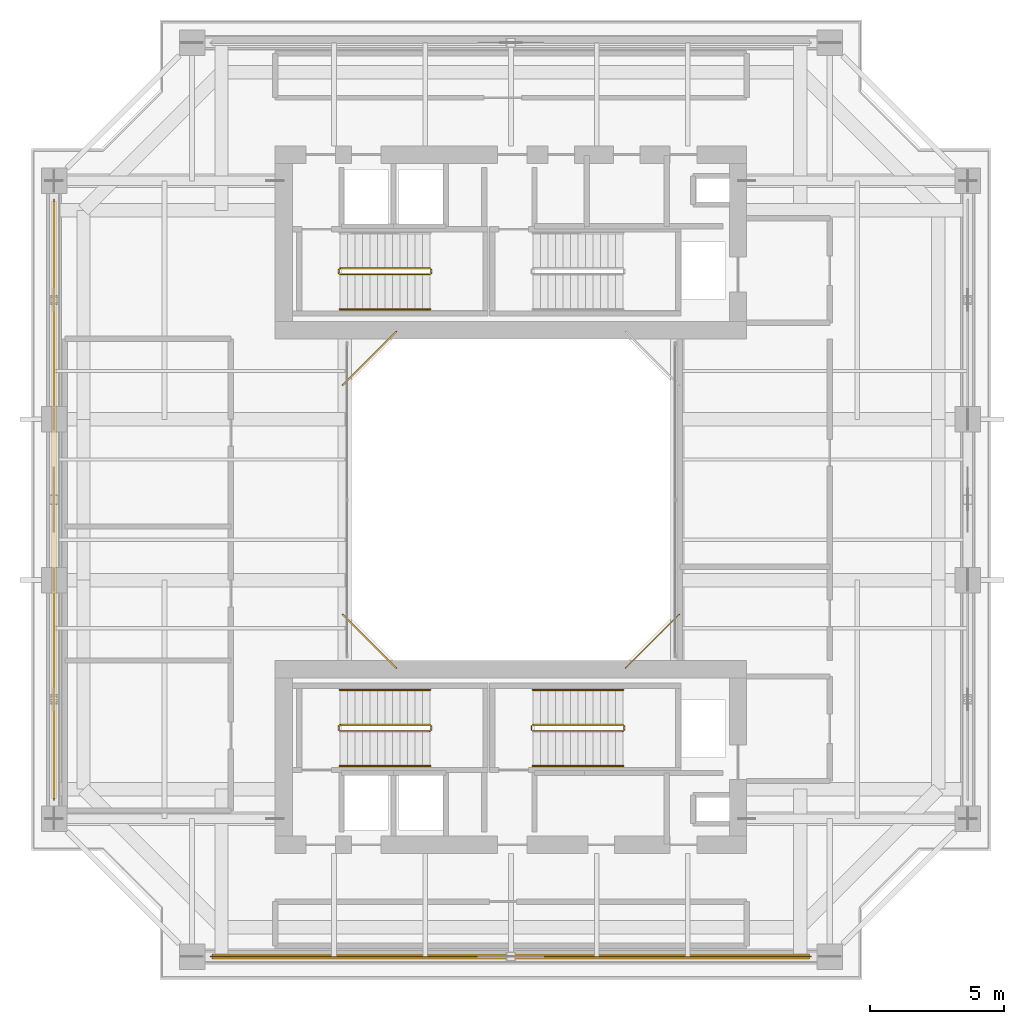
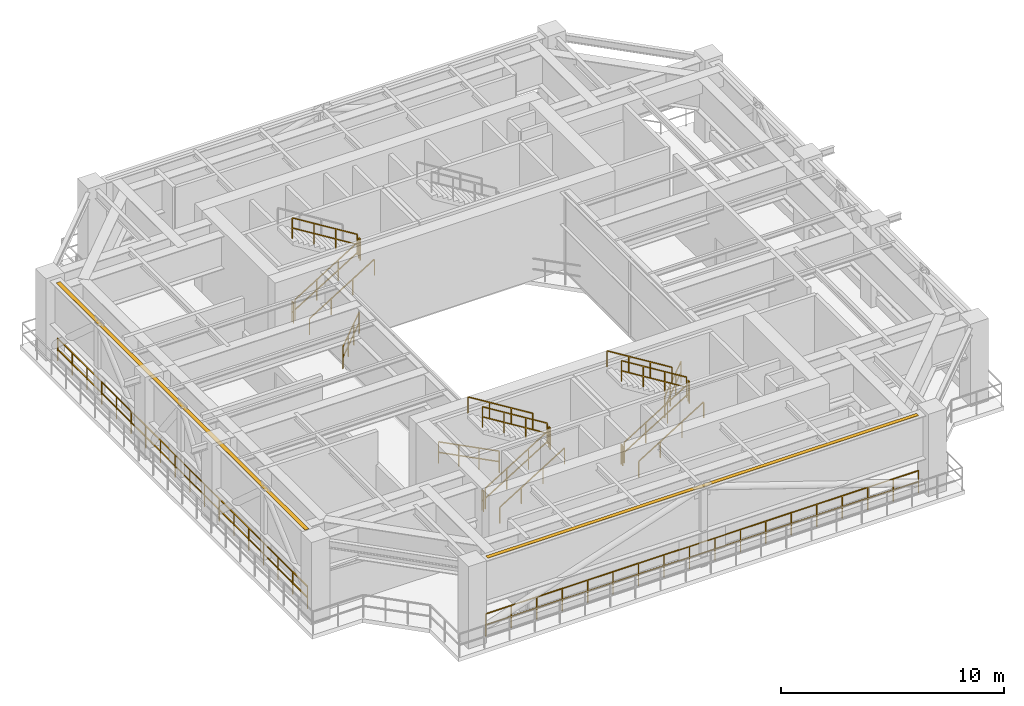
# One storey, part 9 of 11: 22 railings, 2 shading devices.
"""IFC4 building model written with IfcOpenShell, lengths in metres."""

from ifc_helpers import new_model, si_unit, direction, frame, origin, origin_2d, place, context, subcontext, project, spatial, rectangle, extrude, source, transform, mapped, material, material_profile, profile_set, type_object, element, save


model = new_model("IFC4")

# Units and contexts
model_context = context("Model", 3, precision=1e-05, world=origin(), true_north=direction((0.0, 1.0)))
body_context = subcontext(model_context, "Body", "Model", "MODEL_VIEW")
ifc_project = project(units=[si_unit("LENGTHUNIT", "METRE"), si_unit("AREAUNIT", "SQUARE_METRE"), si_unit("VOLUMEUNIT", "CUBIC_METRE"), si_unit("PLANEANGLEUNIT", "RADIAN"), si_unit("MASSUNIT", "GRAM", prefix="KILO"), si_unit("THERMODYNAMICTEMPERATUREUNIT", "KELVIN"), si_unit("POWERUNIT", "WATT")], contexts=[model_context])

# Site, building, storey
site_placement = place(None, origin())
site = spatial("IfcSite", under=ifc_project, at=site_placement, CompositionType="ELEMENT")
building_placement = place(site_placement, origin())
building = spatial("IfcBuilding", under=site, at=building_placement, Name="Qiaomeng Ring Towers", CompositionType="ELEMENT")
storey_placement = place(building_placement, frame((0.0, 0.0, 186.0)))
storey = spatial("IfcBuildingStorey", under=building, at=storey_placement, Name="L54", CompositionType="ELEMENT", Elevation=186.0)

# Railings
ifc_material_1 = material(Name="Low-E pale-green laminated safety glass", Category="glass")
railing_type_1 = type_object("IfcRailingType", Name="ARC-RL-BAL1", PredefinedType="BALUSTRADE", material=ifc_material_1)
railing_1_placement = place(storey_placement, frame((23.280029296875, 16.719970703125, 0.0)))
element("IfcRailing", 1, at=railing_1_placement, inside=storey, type_object=railing_type_1, Name="L54 Balustrade ARC-BAL-WELL1-L54-1", PredefinedType="BALUSTRADE", context=body_context, shape_type="SweptSolid", body=[
    extrude(rectangle(XDim=0.048095703125, YDim=0.048095703125, at=origin_2d()), frame((0.0, 0.0, 1.17578125), z_axis=(0.707106781187, 0.707106781187, 0.0), x_axis=(-0.707106781187, 0.707106781187, 0.0)), (0.0, 0.0, 1.0), 2.828369140625),
    extrude(rectangle(XDim=0.048095703125, YDim=0.048095703125, at=origin_2d()), frame((0.0, 0.0, 0.60009765625), z_axis=(0.707106781187, 0.707106781187, 0.0), x_axis=(-0.707106781187, 0.707106781187, 0.0)), (0.0, 0.0, 1.0), 2.828369140625),
    extrude(rectangle(XDim=0.0419921875, YDim=0.0419921875, at=origin_2d()), origin(), (0.0, 0.0, 1.0), 1.15185546875),
    extrude(rectangle(XDim=0.0419921875, YDim=0.0419921875, at=origin_2d()), frame((0.666748046875, 0.666748046875, 0.0)), (0.0, 0.0, 1.0), 1.15185546875),
    extrude(rectangle(XDim=0.0419921875, YDim=0.0419921875, at=origin_2d()), frame((1.333251953125, 1.333251953125, 0.0)), (0.0, 0.0, 1.0), 1.15185546875),
    extrude(rectangle(XDim=0.0419921875, YDim=0.0419921875, at=origin_2d()), frame((2.0, 2.0, 0.0)), (0.0, 0.0, 1.0), 1.15185546875),
])
railing_2_placement = place(storey_placement, frame((14.719970703125, 29.280029296875, 0.0)))
element("IfcRailing", 2, at=railing_2_placement, inside=storey, type_object=railing_type_1, Name="L54 Balustrade ARC-BAL-WELL1-L54-3", PredefinedType="BALUSTRADE", context=body_context, shape_type="SweptSolid", body=[
    extrude(rectangle(XDim=0.048095703125, YDim=0.048095703125, at=origin_2d()), frame((0.0, 0.0, 1.17578125), z_axis=(-0.707106781187, -0.707106781187, 0.0), x_axis=(0.707106781187, -0.707106781187, 0.0)), (0.0, 0.0, 1.0), 2.828369140625),
    extrude(rectangle(XDim=0.048095703125, YDim=0.048095703125, at=origin_2d()), frame((0.0, 0.0, 0.60009765625), z_axis=(-0.707106781187, -0.707106781187, 0.0), x_axis=(0.707106781187, -0.707106781187, 0.0)), (0.0, 0.0, 1.0), 2.828369140625),
    extrude(rectangle(XDim=0.0419921875, YDim=0.0419921875, at=origin_2d()), origin(), (0.0, 0.0, 1.0), 1.15185546875),
    extrude(rectangle(XDim=0.0419921875, YDim=0.0419921875, at=origin_2d()), frame((-0.666748046875, -0.666748046875, 0.0)), (0.0, 0.0, 1.0), 1.15185546875),
    extrude(rectangle(XDim=0.0419921875, YDim=0.0419921875, at=origin_2d()), frame((-1.333251953125, -1.333251953125, 0.0)), (0.0, 0.0, 1.0), 1.15185546875),
    extrude(rectangle(XDim=0.0419921875, YDim=0.0419921875, at=origin_2d()), frame((-2.0, -2.0, 0.0)), (0.0, 0.0, 1.0), 1.15185546875),
])
railing_3_placement = place(storey_placement, frame((12.719970703125, 18.719970703125, 0.0)))
element("IfcRailing", 3, at=railing_3_placement, inside=storey, type_object=railing_type_1, Name="L54 Balustrade ARC-BAL-WELL1-L54-4", PredefinedType="BALUSTRADE", context=body_context, shape_type="SweptSolid", body=[
    extrude(rectangle(XDim=0.048095703125, YDim=0.048095703125, at=origin_2d()), frame((0.0, 0.0, 1.17578125), z_axis=(0.707106781187, -0.707106781187, 0.0), x_axis=(0.707106781187, 0.707106781187, 0.0)), (0.0, 0.0, 1.0), 2.828369140625),
    extrude(rectangle(XDim=0.048095703125, YDim=0.048095703125, at=origin_2d()), frame((0.0, 0.0, 0.60009765625), z_axis=(0.707106781187, -0.707106781187, 0.0), x_axis=(0.707106781187, 0.707106781187, 0.0)), (0.0, 0.0, 1.0), 2.828369140625),
    extrude(rectangle(XDim=0.0419921875, YDim=0.0419921875, at=origin_2d()), origin(), (0.0, 0.0, 1.0), 1.15185546875),
    extrude(rectangle(XDim=0.0419921875, YDim=0.0419921875, at=origin_2d()), frame((0.666748046875, -0.666748046875, 0.0)), (0.0, 0.0, 1.0), 1.15185546875),
    extrude(rectangle(XDim=0.0419921875, YDim=0.0419921875, at=origin_2d()), frame((1.333251953125, -1.333251953125, 0.0)), (0.0, 0.0, 1.0), 1.15185546875),
    extrude(rectangle(XDim=0.0419921875, YDim=0.0419921875, at=origin_2d()), frame((2.0, -2.0, 0.0)), (0.0, 0.0, 1.0), 1.15185546875),
])
ifc_material_2 = material(Name="Stainless steel 316", Category="steel")
railing_type_2 = type_object("IfcRailingType", Name="ARC-RL-BAL2", PredefinedType="BALUSTRADE", material=ifc_material_2)
railing_4_placement = place(storey_placement, frame((7.800048828125, 5.949951171875, 0.0)))
element("IfcRailing", 4, at=railing_4_placement, inside=storey, type_object=railing_type_2, Name="L54 Open Refuge Band Perimeter Guard S", PredefinedType="BALUSTRADE", context=body_context, shape_type="SweptSolid", body=[
    extrude(rectangle(XDim=0.048095703125, YDim=0.048095703125, at=origin_2d()), frame((0.0, 0.0, 1.22607421875), z_axis=(1.0, 0.0, 0.0), x_axis=(0.0, 1.0, 0.0)), (0.0, 0.0, 1.0), 22.39990234375),
    extrude(rectangle(XDim=0.048095703125, YDim=0.048095703125, at=origin_2d()), frame((0.0, 0.0, 0.625), z_axis=(1.0, 0.0, 0.0), x_axis=(0.0, 1.0, 0.0)), (0.0, 0.0, 1.0), 22.39990234375),
    extrude(rectangle(XDim=0.0419921875, YDim=0.0419921875, at=origin_2d()), origin(), (0.0, 0.0, 1.0), 1.201904296875),
    extrude(rectangle(XDim=0.0419921875, YDim=0.0419921875, at=origin_2d()), frame((1.317626953125, 0.0, 0.0)), (0.0, 0.0, 1.0), 1.201904296875),
    extrude(rectangle(XDim=0.0419921875, YDim=0.0419921875, at=origin_2d()), frame((2.63525390625, 0.0, 0.0)), (0.0, 0.0, 1.0), 1.201904296875),
    extrude(rectangle(XDim=0.0419921875, YDim=0.0419921875, at=origin_2d()), frame((3.952880859375, 0.0, 0.0)), (0.0, 0.0, 1.0), 1.201904296875),
    extrude(rectangle(XDim=0.0419921875, YDim=0.0419921875, at=origin_2d()), frame((5.2705078125, 0.0, 0.0)), (0.0, 0.0, 1.0), 1.201904296875),
    extrude(rectangle(XDim=0.0419921875, YDim=0.0419921875, at=origin_2d()), frame((6.588134765625, 0.0, 0.0)), (0.0, 0.0, 1.0), 1.201904296875),
    extrude(rectangle(XDim=0.0419921875, YDim=0.0419921875, at=origin_2d()), frame((7.90576171875, 0.0, 0.0)), (0.0, 0.0, 1.0), 1.201904296875),
    extrude(rectangle(XDim=0.0419921875, YDim=0.0419921875, at=origin_2d()), frame((9.223388671875, 0.0, 0.0)), (0.0, 0.0, 1.0), 1.201904296875),
    extrude(rectangle(XDim=0.0419921875, YDim=0.0419921875, at=origin_2d()), frame((10.541015625, 0.0, 0.0)), (0.0, 0.0, 1.0), 1.201904296875),
    extrude(rectangle(XDim=0.0419921875, YDim=0.0419921875, at=origin_2d()), frame((11.85888671875, 0.0, 0.0)), (0.0, 0.0, 1.0), 1.201904296875),
    extrude(rectangle(XDim=0.0419921875, YDim=0.0419921875, at=origin_2d()), frame((13.176513671875, 0.0, 0.0)), (0.0, 0.0, 1.0), 1.201904296875),
    extrude(rectangle(XDim=0.0419921875, YDim=0.0419921875, at=origin_2d()), frame((14.494140625, 0.0, 0.0)), (0.0, 0.0, 1.0), 1.201904296875),
    extrude(rectangle(XDim=0.0419921875, YDim=0.0419921875, at=origin_2d()), frame((15.811767578125, 0.0, 0.0)), (0.0, 0.0, 1.0), 1.201904296875),
    extrude(rectangle(XDim=0.0419921875, YDim=0.0419921875, at=origin_2d()), frame((17.12939453125, 0.0, 0.0)), (0.0, 0.0, 1.0), 1.201904296875),
    extrude(rectangle(XDim=0.0419921875, YDim=0.0419921875, at=origin_2d()), frame((18.447021484375, 0.0, 0.0)), (0.0, 0.0, 1.0), 1.201904296875),
    extrude(rectangle(XDim=0.0419921875, YDim=0.0419921875, at=origin_2d()), frame((19.7646484375, 0.0, 0.0)), (0.0, 0.0, 1.0), 1.201904296875),
    extrude(rectangle(XDim=0.0419921875, YDim=0.0419921875, at=origin_2d()), frame((21.082275390625, 0.0, 0.0)), (0.0, 0.0, 1.0), 1.201904296875),
    extrude(rectangle(XDim=0.0419921875, YDim=0.0419921875, at=origin_2d()), frame((22.39990234375, 0.0, 0.0)), (0.0, 0.0, 1.0), 1.201904296875),
])
railing_5_placement = place(storey_placement, frame((1.949951171875, 34.199951171875, 0.0)))
element("IfcRailing", 5, at=railing_5_placement, inside=storey, type_object=railing_type_2, Name="L54 Open Refuge Band Perimeter Guard W", PredefinedType="BALUSTRADE", context=body_context, shape_type="SweptSolid", body=[
    extrude(rectangle(XDim=0.048095703125, YDim=0.048095703125, at=origin_2d()), frame((0.0, 0.0, 1.22607421875), z_axis=(0.0, -1.0, 0.0), x_axis=(1.0, 0.0, 0.0)), (0.0, 0.0, 1.0), 22.39990234375),
    extrude(rectangle(XDim=0.048095703125, YDim=0.048095703125, at=origin_2d()), frame((0.0, 0.0, 0.625), z_axis=(0.0, -1.0, 0.0), x_axis=(1.0, 0.0, 0.0)), (0.0, 0.0, 1.0), 22.39990234375),
    extrude(rectangle(XDim=0.0419921875, YDim=0.0419921875, at=origin_2d()), origin(), (0.0, 0.0, 1.0), 1.201904296875),
    extrude(rectangle(XDim=0.0419921875, YDim=0.0419921875, at=origin_2d()), frame((0.0, -1.317626953125, 0.0)), (0.0, 0.0, 1.0), 1.201904296875),
    extrude(rectangle(XDim=0.0419921875, YDim=0.0419921875, at=origin_2d()), frame((0.0, -2.63525390625, 0.0)), (0.0, 0.0, 1.0), 1.201904296875),
    extrude(rectangle(XDim=0.0419921875, YDim=0.0419921875, at=origin_2d()), frame((0.0, -3.952880859375, 0.0)), (0.0, 0.0, 1.0), 1.201904296875),
    extrude(rectangle(XDim=0.0419921875, YDim=0.0419921875, at=origin_2d()), frame((0.0, -5.2705078125, 0.0)), (0.0, 0.0, 1.0), 1.201904296875),
    extrude(rectangle(XDim=0.0419921875, YDim=0.0419921875, at=origin_2d()), frame((0.0, -6.588134765625, 0.0)), (0.0, 0.0, 1.0), 1.201904296875),
    extrude(rectangle(XDim=0.0419921875, YDim=0.0419921875, at=origin_2d()), frame((0.0, -7.90576171875, 0.0)), (0.0, 0.0, 1.0), 1.201904296875),
    extrude(rectangle(XDim=0.0419921875, YDim=0.0419921875, at=origin_2d()), frame((0.0, -9.223388671875, 0.0)), (0.0, 0.0, 1.0), 1.201904296875),
    extrude(rectangle(XDim=0.0419921875, YDim=0.0419921875, at=origin_2d()), frame((0.0, -10.541015625, 0.0)), (0.0, 0.0, 1.0), 1.201904296875),
    extrude(rectangle(XDim=0.0419921875, YDim=0.0419921875, at=origin_2d()), frame((0.0, -11.85888671875, 0.0)), (0.0, 0.0, 1.0), 1.201904296875),
    extrude(rectangle(XDim=0.0419921875, YDim=0.0419921875, at=origin_2d()), frame((0.0, -13.176513671875, 0.0)), (0.0, 0.0, 1.0), 1.201904296875),
    extrude(rectangle(XDim=0.0419921875, YDim=0.0419921875, at=origin_2d()), frame((0.0, -14.494140625, 0.0)), (0.0, 0.0, 1.0), 1.201904296875),
    extrude(rectangle(XDim=0.0419921875, YDim=0.0419921875, at=origin_2d()), frame((0.0, -15.811767578125, 0.0)), (0.0, 0.0, 1.0), 1.201904296875),
    extrude(rectangle(XDim=0.0419921875, YDim=0.0419921875, at=origin_2d()), frame((0.0, -17.12939453125, 0.0)), (0.0, 0.0, 1.0), 1.201904296875),
    extrude(rectangle(XDim=0.0419921875, YDim=0.0419921875, at=origin_2d()), frame((0.0, -18.447021484375, 0.0)), (0.0, 0.0, 1.0), 1.201904296875),
    extrude(rectangle(XDim=0.0419921875, YDim=0.0419921875, at=origin_2d()), frame((0.0, -19.7646484375, 0.0)), (0.0, 0.0, 1.0), 1.201904296875),
    extrude(rectangle(XDim=0.0419921875, YDim=0.0419921875, at=origin_2d()), frame((0.0, -21.082275390625, 0.0)), (0.0, 0.0, 1.0), 1.201904296875),
    extrude(rectangle(XDim=0.0419921875, YDim=0.0419921875, at=origin_2d()), frame((0.0, -22.39990234375, 0.0)), (0.0, 0.0, 1.0), 1.201904296875),
])
ifc_material_3 = material(Name="Galvanised steel", Category="steel")
railing_type_3 = type_object("IfcRailingType", Name="ARC-RL-GUARD", PredefinedType="GUARDRAIL", material=ifc_material_3)
railing_6_placement = place(storey_placement, frame((12.6201171875, 31.39990234375, 0.173095703125)))
element("IfcRailing", 6, at=railing_6_placement, inside=storey, type_object=railing_type_3, Name="L54 ST1 stair guard 1", PredefinedType="GUARDRAIL", context=body_context, shape_type="SweptSolid", body=[
    extrude(rectangle(XDim=0.048095703125, YDim=0.048095703125, at=origin_2d()), frame((0.0, 0.0, 1.1259765625), z_axis=(0.850606129759, 0.0, 0.525803396734), x_axis=(0.0, 1.0, 0.0)), (0.0, 0.0, 1.0), 3.949951171875),
    extrude(rectangle(XDim=0.048095703125, YDim=0.048095703125, at=origin_2d()), frame((0.0, 0.0, 0.574951171875), z_axis=(0.850606129759, 0.0, 0.525803396734), x_axis=(0.0, 1.0, 0.0)), (0.0, 0.0, 1.0), 3.949951171875),
    extrude(rectangle(XDim=0.0419921875, YDim=0.0419921875, at=origin_2d()), origin(), (0.0, 0.0, 1.0), 1.101806640625),
    extrude(rectangle(XDim=0.0419921875, YDim=0.0419921875, at=origin_2d()), frame((1.119873046875, 0.0, 0.6923828125)), (0.0, 0.0, 1.0), 1.101806640625),
    extrude(rectangle(XDim=0.0419921875, YDim=0.0419921875, at=origin_2d()), frame((2.239990234375, 0.0, 1.384521484375)), (0.0, 0.0, 1.0), 1.101806640625),
    extrude(rectangle(XDim=0.0419921875, YDim=0.0419921875, at=origin_2d()), frame((3.35986328125, 0.0, 2.076904296875)), (0.0, 0.0, 1.0), 1.101806640625),
])
railing_7_placement = place(storey_placement, frame((16.030029296875, 31.449951171875, 2.25)))
element("IfcRailing", 7, at=railing_7_placement, inside=storey, type_object=railing_type_3, Name="L54 ST1 stair guard 2", PredefinedType="GUARDRAIL", context=body_context, shape_type="SweptSolid", body=[
    extrude(rectangle(XDim=0.048095703125, YDim=0.048095703125, at=origin_2d()), frame((0.0, 0.0, 1.1259765625), z_axis=(0.0, 1.0, 0.0), x_axis=(-1.0, 0.0, 0.0)), (0.0, 0.0, 1.0), 0.14013671875),
    extrude(rectangle(XDim=0.048095703125, YDim=0.048095703125, at=origin_2d()), frame((0.0, 0.0, 0.574951171875), z_axis=(0.0, 1.0, 0.0), x_axis=(-1.0, 0.0, 0.0)), (0.0, 0.0, 1.0), 0.14013671875),
    extrude(rectangle(XDim=0.0419921875, YDim=0.0419921875, at=origin_2d()), origin(), (0.0, 0.0, 1.0), 1.101806640625),
    extrude(rectangle(XDim=0.0419921875, YDim=0.0419921875, at=origin_2d()), frame((0.0, 0.14013671875, 0.0)), (0.0, 0.0, 1.0), 1.101806640625),
])
railing_8_placement = place(storey_placement, frame((15.97998046875, 31.639892578125, 2.423095703125)))
element("IfcRailing", 8, at=railing_8_placement, inside=storey, type_object=railing_type_3, Name="L54 ST1 stair guard 3", PredefinedType="GUARDRAIL", context=body_context, shape_type="SweptSolid", body=[
    extrude(rectangle(XDim=0.048095703125, YDim=0.048095703125, at=origin_2d()), frame((0.0, 0.0, 1.1259765625), z_axis=(-0.850606129759, 0.0, 0.525803396734), x_axis=(0.0, -1.0, 0.0)), (0.0, 0.0, 1.0), 3.949951171875),
    extrude(rectangle(XDim=0.048095703125, YDim=0.048095703125, at=origin_2d()), frame((0.0, 0.0, 0.574951171875), z_axis=(-0.850606129759, 0.0, 0.525803396734), x_axis=(0.0, -1.0, 0.0)), (0.0, 0.0, 1.0), 3.949951171875),
    extrude(rectangle(XDim=0.0419921875, YDim=0.0419921875, at=origin_2d()), origin(), (0.0, 0.0, 1.0), 1.101806640625),
    extrude(rectangle(XDim=0.0419921875, YDim=0.0419921875, at=origin_2d()), frame((-1.119873046875, 0.0, 0.6923828125)), (0.0, 0.0, 1.0), 1.101806640625),
    extrude(rectangle(XDim=0.0419921875, YDim=0.0419921875, at=origin_2d()), frame((-2.239990234375, 0.0, 1.384521484375)), (0.0, 0.0, 1.0), 1.101806640625),
    extrude(rectangle(XDim=0.0419921875, YDim=0.0419921875, at=origin_2d()), frame((-3.35986328125, 0.0, 2.076904296875)), (0.0, 0.0, 1.0), 1.101806640625),
])
railing_9_placement = place(storey_placement, frame((12.570068359375, 31.449951171875, 0.0)))
element("IfcRailing", 9, at=railing_9_placement, inside=storey, type_object=railing_type_3, Name="L54 ST1 stair guard 4", PredefinedType="GUARDRAIL", context=body_context, shape_type="SweptSolid", body=[
    extrude(rectangle(XDim=0.048095703125, YDim=0.048095703125, at=origin_2d()), frame((0.0, 0.0, 1.1259765625), z_axis=(0.0, 1.0, 0.0), x_axis=(-1.0, 0.0, 0.0)), (0.0, 0.0, 1.0), 0.14013671875),
    extrude(rectangle(XDim=0.048095703125, YDim=0.048095703125, at=origin_2d()), frame((0.0, 0.0, 0.574951171875), z_axis=(0.0, 1.0, 0.0), x_axis=(-1.0, 0.0, 0.0)), (0.0, 0.0, 1.0), 0.14013671875),
    extrude(rectangle(XDim=0.0419921875, YDim=0.0419921875, at=origin_2d()), origin(), (0.0, 0.0, 1.0), 1.101806640625),
    extrude(rectangle(XDim=0.0419921875, YDim=0.0419921875, at=origin_2d()), frame((0.0, 0.14013671875, 0.0)), (0.0, 0.0, 1.0), 1.101806640625),
])
railing_10_placement = place(storey_placement, frame((12.6201171875, 14.360107421875, 0.173095703125)))
element("IfcRailing", 10, at=railing_10_placement, inside=storey, type_object=railing_type_3, Name="L54 ST3 stair guard 1", PredefinedType="GUARDRAIL", context=body_context, shape_type="SweptSolid", body=[
    extrude(rectangle(XDim=0.048095703125, YDim=0.048095703125, at=origin_2d()), frame((0.0, 0.0, 1.1259765625), z_axis=(0.850606129759, 0.0, 0.525803396734), x_axis=(0.0, 1.0, 0.0)), (0.0, 0.0, 1.0), 3.949951171875),
    extrude(rectangle(XDim=0.048095703125, YDim=0.048095703125, at=origin_2d()), frame((0.0, 0.0, 0.574951171875), z_axis=(0.850606129759, 0.0, 0.525803396734), x_axis=(0.0, 1.0, 0.0)), (0.0, 0.0, 1.0), 3.949951171875),
    extrude(rectangle(XDim=0.0419921875, YDim=0.0419921875, at=origin_2d()), origin(), (0.0, 0.0, 1.0), 1.101806640625),
    extrude(rectangle(XDim=0.0419921875, YDim=0.0419921875, at=origin_2d()), frame((1.119873046875, 0.0, 0.6923828125)), (0.0, 0.0, 1.0), 1.101806640625),
    extrude(rectangle(XDim=0.0419921875, YDim=0.0419921875, at=origin_2d()), frame((2.239990234375, 0.0, 1.384521484375)), (0.0, 0.0, 1.0), 1.101806640625),
    extrude(rectangle(XDim=0.0419921875, YDim=0.0419921875, at=origin_2d()), frame((3.35986328125, 0.0, 2.076904296875)), (0.0, 0.0, 1.0), 1.101806640625),
])
railing_11_placement = place(storey_placement, frame((16.030029296875, 14.409912109375, 2.25)))
element("IfcRailing", 11, at=railing_11_placement, inside=storey, type_object=railing_type_3, Name="L54 ST3 stair guard 2", PredefinedType="GUARDRAIL", context=body_context, shape_type="SweptSolid", body=[
    extrude(rectangle(XDim=0.048095703125, YDim=0.048095703125, at=origin_2d()), frame((0.0, 0.0, 1.1259765625), z_axis=(0.0, 1.0, 0.0), x_axis=(-1.0, 0.0, 0.0)), (0.0, 0.0, 1.0), 0.14013671875),
    extrude(rectangle(XDim=0.048095703125, YDim=0.048095703125, at=origin_2d()), frame((0.0, 0.0, 0.574951171875), z_axis=(0.0, 1.0, 0.0), x_axis=(-1.0, 0.0, 0.0)), (0.0, 0.0, 1.0), 0.14013671875),
    extrude(rectangle(XDim=0.0419921875, YDim=0.0419921875, at=origin_2d()), origin(), (0.0, 0.0, 1.0), 1.101806640625),
    extrude(rectangle(XDim=0.0419921875, YDim=0.0419921875, at=origin_2d()), frame((0.0, 0.14013671875, 0.0)), (0.0, 0.0, 1.0), 1.101806640625),
])
railing_12_placement = place(storey_placement, frame((15.97998046875, 14.60009765625, 2.423095703125)))
element("IfcRailing", 12, at=railing_12_placement, inside=storey, type_object=railing_type_3, Name="L54 ST3 stair guard 3", PredefinedType="GUARDRAIL", context=body_context, shape_type="SweptSolid", body=[
    extrude(rectangle(XDim=0.048095703125, YDim=0.048095703125, at=origin_2d()), frame((0.0, 0.0, 1.1259765625), z_axis=(-0.850606129759, 0.0, 0.525803396734), x_axis=(0.0, -1.0, 0.0)), (0.0, 0.0, 1.0), 3.949951171875),
    extrude(rectangle(XDim=0.048095703125, YDim=0.048095703125, at=origin_2d()), frame((0.0, 0.0, 0.574951171875), z_axis=(-0.850606129759, 0.0, 0.525803396734), x_axis=(0.0, -1.0, 0.0)), (0.0, 0.0, 1.0), 3.949951171875),
    extrude(rectangle(XDim=0.0419921875, YDim=0.0419921875, at=origin_2d()), origin(), (0.0, 0.0, 1.0), 1.101806640625),
    extrude(rectangle(XDim=0.0419921875, YDim=0.0419921875, at=origin_2d()), frame((-1.119873046875, 0.0, 0.6923828125)), (0.0, 0.0, 1.0), 1.101806640625),
    extrude(rectangle(XDim=0.0419921875, YDim=0.0419921875, at=origin_2d()), frame((-2.239990234375, 0.0, 1.384521484375)), (0.0, 0.0, 1.0), 1.101806640625),
    extrude(rectangle(XDim=0.0419921875, YDim=0.0419921875, at=origin_2d()), frame((-3.35986328125, 0.0, 2.076904296875)), (0.0, 0.0, 1.0), 1.101806640625),
])
railing_13_placement = place(storey_placement, frame((12.570068359375, 14.409912109375, 0.0)))
element("IfcRailing", 13, at=railing_13_placement, inside=storey, type_object=railing_type_3, Name="L54 ST3 stair guard 4", PredefinedType="GUARDRAIL", context=body_context, shape_type="SweptSolid", body=[
    extrude(rectangle(XDim=0.048095703125, YDim=0.048095703125, at=origin_2d()), frame((0.0, 0.0, 1.1259765625), z_axis=(0.0, 1.0, 0.0), x_axis=(-1.0, 0.0, 0.0)), (0.0, 0.0, 1.0), 0.14013671875),
    extrude(rectangle(XDim=0.048095703125, YDim=0.048095703125, at=origin_2d()), frame((0.0, 0.0, 0.574951171875), z_axis=(0.0, 1.0, 0.0), x_axis=(-1.0, 0.0, 0.0)), (0.0, 0.0, 1.0), 0.14013671875),
    extrude(rectangle(XDim=0.0419921875, YDim=0.0419921875, at=origin_2d()), origin(), (0.0, 0.0, 1.0), 1.101806640625),
    extrude(rectangle(XDim=0.0419921875, YDim=0.0419921875, at=origin_2d()), frame((0.0, 0.14013671875, 0.0)), (0.0, 0.0, 1.0), 1.101806640625),
])
railing_14_placement = place(storey_placement, frame((19.820068359375, 14.360107421875, 0.173095703125)))
element("IfcRailing", 14, at=railing_14_placement, inside=storey, type_object=railing_type_3, Name="L54 ST4 stair guard 1", PredefinedType="GUARDRAIL", context=body_context, shape_type="SweptSolid", body=[
    extrude(rectangle(XDim=0.048095703125, YDim=0.048095703125, at=origin_2d()), frame((0.0, 0.0, 1.1259765625), z_axis=(0.850606129759, 0.0, 0.525803396734), x_axis=(0.0, 1.0, 0.0)), (0.0, 0.0, 1.0), 3.949951171875),
    extrude(rectangle(XDim=0.048095703125, YDim=0.048095703125, at=origin_2d()), frame((0.0, 0.0, 0.574951171875), z_axis=(0.850606129759, 0.0, 0.525803396734), x_axis=(0.0, 1.0, 0.0)), (0.0, 0.0, 1.0), 3.949951171875),
    extrude(rectangle(XDim=0.0419921875, YDim=0.0419921875, at=origin_2d()), origin(), (0.0, 0.0, 1.0), 1.101806640625),
    extrude(rectangle(XDim=0.0419921875, YDim=0.0419921875, at=origin_2d()), frame((1.119873046875, 0.0, 0.6923828125)), (0.0, 0.0, 1.0), 1.101806640625),
    extrude(rectangle(XDim=0.0419921875, YDim=0.0419921875, at=origin_2d()), frame((2.239990234375, 0.0, 1.384521484375)), (0.0, 0.0, 1.0), 1.101806640625),
    extrude(rectangle(XDim=0.0419921875, YDim=0.0419921875, at=origin_2d()), frame((3.35986328125, 0.0, 2.076904296875)), (0.0, 0.0, 1.0), 1.101806640625),
])
railing_15_placement = place(storey_placement, frame((23.22998046875, 14.409912109375, 2.25)))
element("IfcRailing", 15, at=railing_15_placement, inside=storey, type_object=railing_type_3, Name="L54 ST4 stair guard 2", PredefinedType="GUARDRAIL", context=body_context, shape_type="SweptSolid", body=[
    extrude(rectangle(XDim=0.048095703125, YDim=0.048095703125, at=origin_2d()), frame((0.0, 0.0, 1.1259765625), z_axis=(0.0, 1.0, 0.0), x_axis=(-1.0, 0.0, 0.0)), (0.0, 0.0, 1.0), 0.14013671875),
    extrude(rectangle(XDim=0.048095703125, YDim=0.048095703125, at=origin_2d()), frame((0.0, 0.0, 0.574951171875), z_axis=(0.0, 1.0, 0.0), x_axis=(-1.0, 0.0, 0.0)), (0.0, 0.0, 1.0), 0.14013671875),
    extrude(rectangle(XDim=0.0419921875, YDim=0.0419921875, at=origin_2d()), origin(), (0.0, 0.0, 1.0), 1.101806640625),
    extrude(rectangle(XDim=0.0419921875, YDim=0.0419921875, at=origin_2d()), frame((0.0, 0.14013671875, 0.0)), (0.0, 0.0, 1.0), 1.101806640625),
])
railing_16_placement = place(storey_placement, frame((23.179931640625, 14.60009765625, 2.423095703125)))
element("IfcRailing", 16, at=railing_16_placement, inside=storey, type_object=railing_type_3, Name="L54 ST4 stair guard 3", PredefinedType="GUARDRAIL", context=body_context, shape_type="SweptSolid", body=[
    extrude(rectangle(XDim=0.048095703125, YDim=0.048095703125, at=origin_2d()), frame((0.0, 0.0, 1.1259765625), z_axis=(-0.850606129759, 0.0, 0.525803396734), x_axis=(0.0, -1.0, 0.0)), (0.0, 0.0, 1.0), 3.949951171875),
    extrude(rectangle(XDim=0.048095703125, YDim=0.048095703125, at=origin_2d()), frame((0.0, 0.0, 0.574951171875), z_axis=(-0.850606129759, 0.0, 0.525803396734), x_axis=(0.0, -1.0, 0.0)), (0.0, 0.0, 1.0), 3.949951171875),
    extrude(rectangle(XDim=0.0419921875, YDim=0.0419921875, at=origin_2d()), origin(), (0.0, 0.0, 1.0), 1.101806640625),
    extrude(rectangle(XDim=0.0419921875, YDim=0.0419921875, at=origin_2d()), frame((-1.119873046875, 0.0, 0.6923828125)), (0.0, 0.0, 1.0), 1.101806640625),
    extrude(rectangle(XDim=0.0419921875, YDim=0.0419921875, at=origin_2d()), frame((-2.239990234375, 0.0, 1.384521484375)), (0.0, 0.0, 1.0), 1.101806640625),
    extrude(rectangle(XDim=0.0419921875, YDim=0.0419921875, at=origin_2d()), frame((-3.35986328125, 0.0, 2.076904296875)), (0.0, 0.0, 1.0), 1.101806640625),
])
railing_17_placement = place(storey_placement, frame((19.77001953125, 14.409912109375, 0.0)))
element("IfcRailing", 17, at=railing_17_placement, inside=storey, type_object=railing_type_3, Name="L54 ST4 stair guard 4", PredefinedType="GUARDRAIL", context=body_context, shape_type="SweptSolid", body=[
    extrude(rectangle(XDim=0.048095703125, YDim=0.048095703125, at=origin_2d()), frame((0.0, 0.0, 1.1259765625), z_axis=(0.0, 1.0, 0.0), x_axis=(-1.0, 0.0, 0.0)), (0.0, 0.0, 1.0), 0.14013671875),
    extrude(rectangle(XDim=0.048095703125, YDim=0.048095703125, at=origin_2d()), frame((0.0, 0.0, 0.574951171875), z_axis=(0.0, 1.0, 0.0), x_axis=(-1.0, 0.0, 0.0)), (0.0, 0.0, 1.0), 0.14013671875),
    extrude(rectangle(XDim=0.0419921875, YDim=0.0419921875, at=origin_2d()), origin(), (0.0, 0.0, 1.0), 1.101806640625),
    extrude(rectangle(XDim=0.0419921875, YDim=0.0419921875, at=origin_2d()), frame((0.0, 0.14013671875, 0.0)), (0.0, 0.0, 1.0), 1.101806640625),
])
railing_type_4 = type_object("IfcRailingType", Name="ARC-RL-HAND", PredefinedType="HANDRAIL", material=ifc_material_2)
for number, where, name in (
    (18, (12.6201171875, 30.10009765625, 0.173095703125), "L54 ST1 stair handrail 1"),
    (19, (12.6201171875, 13.06005859375, 0.173095703125), "L54 ST3 stair handrail 1"),
):
    element("IfcRailing", number, at=place(storey_placement, frame(where)), inside=storey, type_object=railing_type_4, Name=name, PredefinedType="HANDRAIL", context=body_context, shape_type="SweptSolid", body=[
        extrude(rectangle(XDim=0.048095703125, YDim=0.048095703125, at=origin_2d()), frame((0.0, 0.0, 0.8759765625), z_axis=(0.850606129759, 0.0, 0.525803396734), x_axis=(0.0, 1.0, 0.0)), (0.0, 0.0, 1.0), 3.949951171875),
        extrude(rectangle(XDim=0.0419921875, YDim=0.0419921875, at=origin_2d()), origin(), (0.0, 0.0, 1.0), 0.851806640625),
        extrude(rectangle(XDim=0.0419921875, YDim=0.0419921875, at=origin_2d()), frame((1.119873046875, 0.0, 0.6923828125)), (0.0, 0.0, 1.0), 0.851806640625),
        extrude(rectangle(XDim=0.0419921875, YDim=0.0419921875, at=origin_2d()), frame((2.239990234375, 0.0, 1.384521484375)), (0.0, 0.0, 1.0), 0.851806640625),
        extrude(rectangle(XDim=0.0419921875, YDim=0.0419921875, at=origin_2d()), frame((3.35986328125, 0.0, 2.076904296875)), (0.0, 0.0, 1.0), 0.851806640625),
    ])
railing_18_placement = place(storey_placement, frame((15.97998046875, 15.89990234375, 2.423095703125)))
element("IfcRailing", 20, at=railing_18_placement, inside=storey, type_object=railing_type_4, Name="L54 ST3 stair handrail 2", PredefinedType="HANDRAIL", context=body_context, shape_type="SweptSolid", body=[
    extrude(rectangle(XDim=0.048095703125, YDim=0.048095703125, at=origin_2d()), frame((0.0, 0.0, 0.8759765625), z_axis=(-0.850606129759, 0.0, 0.525803396734), x_axis=(0.0, -1.0, 0.0)), (0.0, 0.0, 1.0), 3.949951171875),
    extrude(rectangle(XDim=0.0419921875, YDim=0.0419921875, at=origin_2d()), origin(), (0.0, 0.0, 1.0), 0.851806640625),
    extrude(rectangle(XDim=0.0419921875, YDim=0.0419921875, at=origin_2d()), frame((-1.119873046875, 0.0, 0.6923828125)), (0.0, 0.0, 1.0), 0.851806640625),
    extrude(rectangle(XDim=0.0419921875, YDim=0.0419921875, at=origin_2d()), frame((-2.239990234375, 0.0, 1.384521484375)), (0.0, 0.0, 1.0), 0.851806640625),
    extrude(rectangle(XDim=0.0419921875, YDim=0.0419921875, at=origin_2d()), frame((-3.35986328125, 0.0, 2.076904296875)), (0.0, 0.0, 1.0), 0.851806640625),
])
railing_19_placement = place(storey_placement, frame((19.820068359375, 13.06005859375, 0.173095703125)))
element("IfcRailing", 21, at=railing_19_placement, inside=storey, type_object=railing_type_4, Name="L54 ST4 stair handrail 1", PredefinedType="HANDRAIL", context=body_context, shape_type="SweptSolid", body=[
    extrude(rectangle(XDim=0.048095703125, YDim=0.048095703125, at=origin_2d()), frame((0.0, 0.0, 0.8759765625), z_axis=(0.850606129759, 0.0, 0.525803396734), x_axis=(0.0, 1.0, 0.0)), (0.0, 0.0, 1.0), 3.949951171875),
    extrude(rectangle(XDim=0.0419921875, YDim=0.0419921875, at=origin_2d()), origin(), (0.0, 0.0, 1.0), 0.851806640625),
    extrude(rectangle(XDim=0.0419921875, YDim=0.0419921875, at=origin_2d()), frame((1.119873046875, 0.0, 0.6923828125)), (0.0, 0.0, 1.0), 0.851806640625),
    extrude(rectangle(XDim=0.0419921875, YDim=0.0419921875, at=origin_2d()), frame((2.239990234375, 0.0, 1.384521484375)), (0.0, 0.0, 1.0), 0.851806640625),
    extrude(rectangle(XDim=0.0419921875, YDim=0.0419921875, at=origin_2d()), frame((3.35986328125, 0.0, 2.076904296875)), (0.0, 0.0, 1.0), 0.851806640625),
])
railing_20_placement = place(storey_placement, frame((23.179931640625, 15.89990234375, 2.423095703125)))
element("IfcRailing", 22, at=railing_20_placement, inside=storey, type_object=railing_type_4, Name="L54 ST4 stair handrail 2", PredefinedType="HANDRAIL", context=body_context, shape_type="SweptSolid", body=[
    extrude(rectangle(XDim=0.048095703125, YDim=0.048095703125, at=origin_2d()), frame((0.0, 0.0, 0.8759765625), z_axis=(-0.850606129759, 0.0, 0.525803396734), x_axis=(0.0, -1.0, 0.0)), (0.0, 0.0, 1.0), 3.949951171875),
    extrude(rectangle(XDim=0.0419921875, YDim=0.0419921875, at=origin_2d()), origin(), (0.0, 0.0, 1.0), 0.851806640625),
    extrude(rectangle(XDim=0.0419921875, YDim=0.0419921875, at=origin_2d()), frame((-1.119873046875, 0.0, 0.6923828125)), (0.0, 0.0, 1.0), 0.851806640625),
    extrude(rectangle(XDim=0.0419921875, YDim=0.0419921875, at=origin_2d()), frame((-2.239990234375, 0.0, 1.384521484375)), (0.0, 0.0, 1.0), 0.851806640625),
    extrude(rectangle(XDim=0.0419921875, YDim=0.0419921875, at=origin_2d()), frame((-3.35986328125, 0.0, 2.076904296875)), (0.0, 0.0, 1.0), 0.851806640625),
])

# Shading devices
ifc_material_profile = material_profile(ifc_material_2, rectangle(XDim=0.199951171875, YDim=0.0400390625, at=origin_2d()), Name="LV BLADE 200x40")
ifc_profile_set = profile_set([ifc_material_profile], Name="Stainless steel 316")
shading_device_type = type_object("IfcShadingDeviceType", Name="ARC-SHD-LOUVRE", PredefinedType="JALOUSIE", material=ifc_profile_set)
shared_shape = source(origin(), body_context, "Body", "SweptSolid", [
    extrude(rectangle(XDim=0.199951171875, YDim=0.0400390625, at=origin_2d()), origin(), (0.0, 0.0, 1.0), 22.2998046875),
])
for number, where, z_axis, x_axis, name in (
    (23, (7.85009765625, 5.949951171875, 4.300048828125), (1.0, 0.0, 0.0), (0.0, 1.0, 0.0), "L54 Stainless Acoustic Intake Louvre S"),
    (24, (1.949951171875, 34.14990234375, 4.300048828125), (0.0, -1.0, 0.0), (1.0, 0.0, 0.0), "L54 Stainless Acoustic Intake Louvre W"),
):
    element("IfcShadingDevice", number, at=place(storey_placement, frame(where, z_axis=z_axis, x_axis=x_axis)), inside=storey, type_object=shading_device_type, Name=name, PredefinedType="JALOUSIE", context=body_context, shape_type="MappedRepresentation", body=[
        mapped(shared_shape, transform((0.0, 0.0, 0.0), x_axis=(1.0, 0.0, 0.0), y_axis=(0.0, 1.0, 0.0), z_axis=(0.0, 0.0, 1.0), scale=1.0)),
    ])

save(model, "model.ifc")
